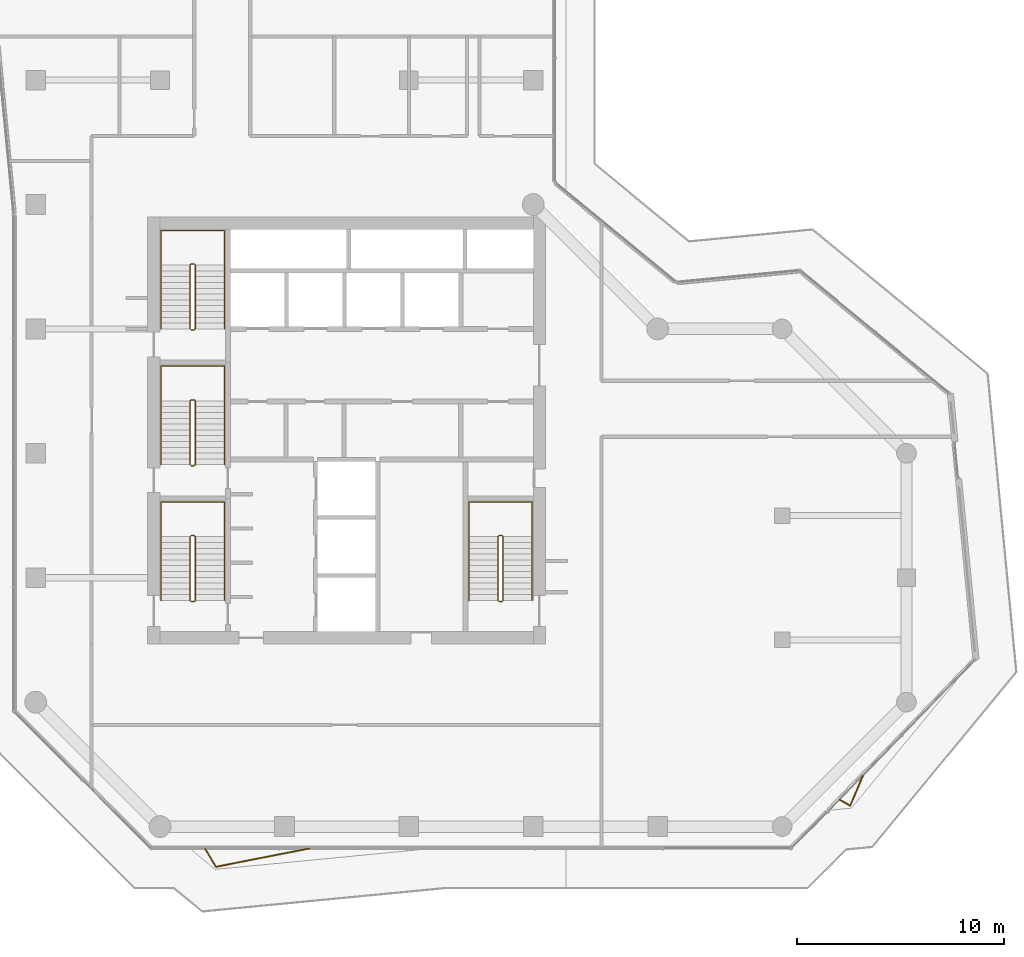
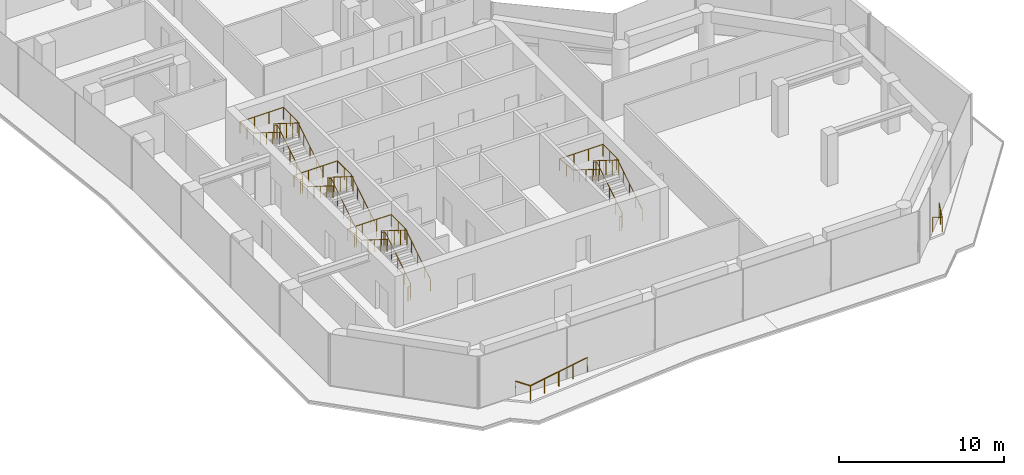
# One storey, part 21 of 22: 10 railings.
"""IFC4 building model written with IfcOpenShell, lengths in metres."""

from ifc_helpers import new_model, si_unit, direction, frame, origin, origin_2d, place, context, subcontext, project, spatial, circle, extrude, material, type_object, element, save


model = new_model("IFC4")

# Units and contexts
model_context = context("Model", 3, precision=1e-05, world=origin(), true_north=direction((0.0, 1.0)))
body_context = subcontext(model_context, "Body", "Model", "MODEL_VIEW")
ifc_project = project(units=[si_unit("LENGTHUNIT", "METRE"), si_unit("AREAUNIT", "SQUARE_METRE"), si_unit("VOLUMEUNIT", "CUBIC_METRE"), si_unit("PLANEANGLEUNIT", "RADIAN"), si_unit("MASSUNIT", "GRAM", prefix="KILO")], contexts=[model_context])

# Site, building, storey
site_placement = place(None, origin())
site = spatial("IfcSite", under=ifc_project, at=site_placement, CompositionType="ELEMENT")
building_placement = place(site_placement, origin())
building = spatial("IfcBuilding", under=site, at=building_placement, Name="Welwitschia Terrace Campus", CompositionType="ELEMENT")
storey_placement = place(building_placement, frame((0.0, 0.0, 192.800048828125)))
storey = spatial("IfcBuildingStorey", under=building, at=storey_placement, Name="L43", CompositionType="ELEMENT", Elevation=192.800048828125)

# Railings
ifc_material_1 = material(Name="Stainless steel grade 316", Category="steel")
railing_type_1 = type_object("IfcRailingType", Name="Guard 1100", PredefinedType="GUARDRAIL", material=ifc_material_1)
railing_1_placement = place(storey_placement, frame((13.197021484375, -5.05810546875, 0.0)))
element("IfcRailing", 1, at=railing_1_placement, inside=storey, type_object=railing_type_1, Name="Guard floor edge L43.1", PredefinedType="GUARDRAIL", context=body_context, shape_type="SweptSolid", body=[
    extrude(circle(Radius=0.02392578125, at=origin_2d()), frame((0.0, 0.0, 1.076171875), z_axis=(-0.98128062701, -0.192583309386, 0.0), x_axis=(0.192583309386, -0.98128062701, 0.0)), (0.0, 0.0, 1.0), 4.586669921875),
    extrude(circle(Radius=0.02392578125, at=origin_2d()), frame((-4.500732421875, -0.88330078125, 1.076171875), z_axis=(-0.511559012432, 0.85924814623, 0.0), x_axis=(-0.85924814623, -0.511559012432, 0.0)), (0.0, 0.0, 1.0), 1.028076171875),
    extrude(circle(Radius=0.02099609375, at=origin_2d()), origin(), (0.0, 0.0, 1.0), 1.052001953125),
    extrude(circle(Radius=0.02099609375, at=origin_2d()), frame((-1.125244140625, -0.220703125, 0.0)), (0.0, 0.0, 1.0), 1.052001953125),
    extrude(circle(Radius=0.02099609375, at=origin_2d()), frame((-2.25048828125, -0.441650390625, 0.0)), (0.0, 0.0, 1.0), 1.052001953125),
    extrude(circle(Radius=0.02099609375, at=origin_2d()), frame((-3.37548828125, -0.66259765625, 0.0)), (0.0, 0.0, 1.0), 1.052001953125),
    extrude(circle(Radius=0.02099609375, at=origin_2d()), frame((-4.500732421875, -0.88330078125, 0.0)), (0.0, 0.0, 1.0), 1.052001953125),
    extrude(circle(Radius=0.02099609375, at=origin_2d()), frame((-5.026611328125, 0.0, 0.0)), (0.0, 0.0, 1.0), 1.052001953125),
])
railing_2_placement = place(storey_placement, frame((39.901611328125, -1.54150390625, 0.0)))
element("IfcRailing", 2, at=railing_2_placement, inside=storey, type_object=railing_type_1, Name="Guard floor edge L43.3", PredefinedType="GUARDRAIL", context=body_context, shape_type="SweptSolid", body=[
    extrude(circle(Radius=0.02392578125, at=origin_2d()), frame((0.0, 0.0, 1.076171875), z_axis=(-0.390990161781, -0.920394857325, 0.0), x_axis=(0.920394857325, -0.390990161781, 0.0)), (0.0, 0.0, 1.0), 1.580322265625),
    extrude(circle(Radius=0.02392578125, at=origin_2d()), frame((-0.617919921875, -1.45458984375, 1.076171875), z_axis=(-0.863249291545, 0.50477783296, 0.0), x_axis=(-0.50477783296, -0.863249291545, 0.0)), (0.0, 0.0, 1.0), 0.585693359375),
    extrude(circle(Radius=0.02099609375, at=origin_2d()), origin(), (0.0, 0.0, 1.0), 1.052001953125),
    extrude(circle(Radius=0.02099609375, at=origin_2d()), frame((-0.30908203125, -0.727294921875, 0.0)), (0.0, 0.0, 1.0), 1.052001953125),
    extrude(circle(Radius=0.02099609375, at=origin_2d()), frame((-0.617919921875, -1.45458984375, 0.0)), (0.0, 0.0, 1.0), 1.052001953125),
    extrude(circle(Radius=0.02099609375, at=origin_2d()), frame((-1.12353515625, -1.158935546875, 0.0)), (0.0, 0.0, 1.0), 1.052001953125),
])
ifc_material_2 = material(Name="Steel S355", Category="steel")
railing_type_2 = type_object("IfcRailingType", Name="Stair guard 1100", PredefinedType="GUARDRAIL", material=ifc_material_2)
railing_3_placement = place(storey_placement, frame((7.5, 6.85009765625, 0.0)))
element("IfcRailing", 3, at=railing_3_placement, inside=storey, type_object=railing_type_2, Name="L43 S1 stair guard", PredefinedType="GUARDRAIL", context=body_context, shape_type="SweptSolid", body=[
    extrude(circle(Radius=0.02392578125, at=origin_2d()), frame((0.0, 0.0, 1.076171875), z_axis=(1.0, 0.0, 0.0), x_axis=(0.0, 1.0, 0.0)), (0.0, 0.0, 1.0), 0.14990234375),
    extrude(circle(Radius=0.02392578125, at=origin_2d()), frame((0.14990234375, 0.0, 1.076171875), z_axis=(0.265155923931, 0.263862480399, 0.927399011991), x_axis=(-0.705375805398, 0.708833529934, 0.0)), (0.0, 0.0, 1.0), 0.188720703125),
    extrude(circle(Radius=0.02392578125, at=origin_2d()), frame((0.199951171875, 0.0498046875, 1.2509765625), z_axis=(0.0, 0.848028513186, 0.529950602248), x_axis=(-1.0, 0.0, 0.0)), (0.0, 0.0, 1.0), 3.632080078125),
    extrude(circle(Radius=0.02392578125, at=origin_2d()), frame((0.199951171875, 3.1298828125, 3.17578125), z_axis=(-0.707106781187, 0.707106781187, 0.0), x_axis=(-0.707106781187, -0.707106781187, 0.0)), (0.0, 0.0, 1.0), 0.07080078125),
    extrude(circle(Radius=0.02392578125, at=origin_2d()), frame((0.14990234375, 3.179931640625, 3.17578125), z_axis=(-1.0, 0.0, 0.0), x_axis=(0.0, -1.0, 0.0)), (0.0, 0.0, 1.0), 0.14990234375),
    extrude(circle(Radius=0.02392578125, at=origin_2d()), frame((0.0, 3.179931640625, 3.17578125), z_axis=(-0.265065253269, -0.265065253269, 0.927081885822), x_axis=(0.707106781187, -0.707106781187, 0.0)), (0.0, 0.0, 1.0), 0.188720703125),
    extrude(circle(Radius=0.02392578125, at=origin_2d()), frame((-0.050048828125, 3.1298828125, 3.35107421875), z_axis=(0.0, -0.847998304005, 0.529998940003), x_axis=(1.0, 0.0, 0.0)), (0.0, 0.0, 1.0), 3.632080078125),
    extrude(circle(Radius=0.02099609375, at=origin_2d()), origin(), (0.0, 0.0, 1.0), 1.052001953125),
    extrude(circle(Radius=0.02099609375, at=origin_2d()), frame((0.14990234375, 0.0, 0.0)), (0.0, 0.0, 1.0), 1.052001953125),
    extrude(circle(Radius=0.02099609375, at=origin_2d()), frame((0.199951171875, 0.0498046875, 0.175048828125)), (0.0, 0.0, 1.0), 1.052001953125),
    extrude(circle(Radius=0.02099609375, at=origin_2d()), frame((0.199951171875, 0.81982421875, 0.65625)), (0.0, 0.0, 1.0), 1.052001953125),
    extrude(circle(Radius=0.02099609375, at=origin_2d()), frame((0.199951171875, 1.58984375, 1.137451171875)), (0.0, 0.0, 1.0), 1.052001953125),
    extrude(circle(Radius=0.02099609375, at=origin_2d()), frame((0.199951171875, 2.35986328125, 1.61865234375)), (0.0, 0.0, 1.0), 1.052001953125),
    extrude(circle(Radius=0.02099609375, at=origin_2d()), frame((0.199951171875, 3.1298828125, 2.099853515625)), (0.0, 0.0, 1.0), 1.052001953125),
    extrude(circle(Radius=0.02099609375, at=origin_2d()), frame((0.14990234375, 3.179931640625, 2.099853515625)), (0.0, 0.0, 1.0), 1.052001953125),
    extrude(circle(Radius=0.02099609375, at=origin_2d()), frame((0.0, 3.179931640625, 2.099853515625)), (0.0, 0.0, 1.0), 1.052001953125),
    extrude(circle(Radius=0.02099609375, at=origin_2d()), frame((-0.050048828125, 3.1298828125, 2.27490234375)), (0.0, 0.0, 1.0), 1.052001953125),
    extrude(circle(Radius=0.02099609375, at=origin_2d()), frame((-0.050048828125, 2.35986328125, 2.756103515625)), (0.0, 0.0, 1.0), 1.052001953125),
    extrude(circle(Radius=0.02099609375, at=origin_2d()), frame((-0.050048828125, 1.58984375, 3.2373046875)), (0.0, 0.0, 1.0), 1.052001953125),
    extrude(circle(Radius=0.02099609375, at=origin_2d()), frame((-0.050048828125, 0.81982421875, 3.71875)), (0.0, 0.0, 1.0), 1.052001953125),
    extrude(circle(Radius=0.02099609375, at=origin_2d()), frame((-0.050048828125, 0.0498046875, 4.199951171875)), (0.0, 0.0, 1.0), 1.052001953125),
])
railing_4_placement = place(storey_placement, frame((7.5, 13.39990234375, 0.0)))
element("IfcRailing", 4, at=railing_4_placement, inside=storey, type_object=railing_type_2, Name="L43 S3 stair guard", PredefinedType="GUARDRAIL", context=body_context, shape_type="SweptSolid", body=[
    extrude(circle(Radius=0.02392578125, at=origin_2d()), frame((0.0, 0.0, 1.076171875), z_axis=(1.0, 0.0, 0.0), x_axis=(0.0, 1.0, 0.0)), (0.0, 0.0, 1.0), 0.14990234375),
    extrude(circle(Radius=0.02392578125, at=origin_2d()), frame((0.14990234375, 0.0, 1.076171875), z_axis=(0.265065253269, 0.265065253269, 0.927081885822), x_axis=(-0.707106781187, 0.707106781187, 0.0)), (0.0, 0.0, 1.0), 0.188720703125),
    extrude(circle(Radius=0.02392578125, at=origin_2d()), frame((0.199951171875, 0.050048828125, 1.2509765625), z_axis=(0.0, 0.848028513186, 0.529950602248), x_axis=(-1.0, 0.0, 0.0)), (0.0, 0.0, 1.0), 3.632080078125),
    extrude(circle(Radius=0.02392578125, at=origin_2d()), frame((0.199951171875, 3.130126953125, 3.17578125), z_axis=(-0.707106781187, 0.707106781187, 0.0), x_axis=(-0.707106781187, -0.707106781187, 0.0)), (0.0, 0.0, 1.0), 0.07080078125),
    extrude(circle(Radius=0.02392578125, at=origin_2d()), frame((0.14990234375, 3.18017578125, 3.17578125), z_axis=(-1.0, 0.0, 0.0), x_axis=(0.0, -1.0, 0.0)), (0.0, 0.0, 1.0), 0.14990234375),
    extrude(circle(Radius=0.02392578125, at=origin_2d()), frame((0.0, 3.18017578125, 3.17578125), z_axis=(-0.265065253269, -0.265065253269, 0.927081885822), x_axis=(0.707106781187, -0.707106781187, 0.0)), (0.0, 0.0, 1.0), 0.188720703125),
    extrude(circle(Radius=0.02392578125, at=origin_2d()), frame((-0.050048828125, 3.130126953125, 3.35107421875), z_axis=(0.0, -0.847998304005, 0.529998940003), x_axis=(1.0, 0.0, 0.0)), (0.0, 0.0, 1.0), 3.632080078125),
    extrude(circle(Radius=0.02099609375, at=origin_2d()), origin(), (0.0, 0.0, 1.0), 1.052001953125),
    extrude(circle(Radius=0.02099609375, at=origin_2d()), frame((0.14990234375, 0.0, 0.0)), (0.0, 0.0, 1.0), 1.052001953125),
    extrude(circle(Radius=0.02099609375, at=origin_2d()), frame((0.199951171875, 0.050048828125, 0.175048828125)), (0.0, 0.0, 1.0), 1.052001953125),
    extrude(circle(Radius=0.02099609375, at=origin_2d()), frame((0.199951171875, 0.820068359375, 0.65625)), (0.0, 0.0, 1.0), 1.052001953125),
    extrude(circle(Radius=0.02099609375, at=origin_2d()), frame((0.199951171875, 1.590087890625, 1.137451171875)), (0.0, 0.0, 1.0), 1.052001953125),
    extrude(circle(Radius=0.02099609375, at=origin_2d()), frame((0.199951171875, 2.360107421875, 1.61865234375)), (0.0, 0.0, 1.0), 1.052001953125),
    extrude(circle(Radius=0.02099609375, at=origin_2d()), frame((0.199951171875, 3.130126953125, 2.099853515625)), (0.0, 0.0, 1.0), 1.052001953125),
    extrude(circle(Radius=0.02099609375, at=origin_2d()), frame((0.14990234375, 3.18017578125, 2.099853515625)), (0.0, 0.0, 1.0), 1.052001953125),
    extrude(circle(Radius=0.02099609375, at=origin_2d()), frame((0.0, 3.18017578125, 2.099853515625)), (0.0, 0.0, 1.0), 1.052001953125),
    extrude(circle(Radius=0.02099609375, at=origin_2d()), frame((-0.050048828125, 3.130126953125, 2.27490234375)), (0.0, 0.0, 1.0), 1.052001953125),
    extrude(circle(Radius=0.02099609375, at=origin_2d()), frame((-0.050048828125, 2.360107421875, 2.756103515625)), (0.0, 0.0, 1.0), 1.052001953125),
    extrude(circle(Radius=0.02099609375, at=origin_2d()), frame((-0.050048828125, 1.590087890625, 3.2373046875)), (0.0, 0.0, 1.0), 1.052001953125),
    extrude(circle(Radius=0.02099609375, at=origin_2d()), frame((-0.050048828125, 0.820068359375, 3.71875)), (0.0, 0.0, 1.0), 1.052001953125),
    extrude(circle(Radius=0.02099609375, at=origin_2d()), frame((-0.050048828125, 0.050048828125, 4.199951171875)), (0.0, 0.0, 1.0), 1.052001953125),
])
railing_5_placement = place(storey_placement, frame((7.5, 19.949951171875, 0.0)))
element("IfcRailing", 5, at=railing_5_placement, inside=storey, type_object=railing_type_2, Name="L43 S4 stair guard", PredefinedType="GUARDRAIL", context=body_context, shape_type="SweptSolid", body=[
    extrude(circle(Radius=0.02392578125, at=origin_2d()), frame((0.0, 0.0, 1.076171875), z_axis=(1.0, 0.0, 0.0), x_axis=(0.0, 1.0, 0.0)), (0.0, 0.0, 1.0), 0.14990234375),
    extrude(circle(Radius=0.02392578125, at=origin_2d()), frame((0.14990234375, 0.0, 1.076171875), z_axis=(0.265065253269, 0.265065253269, 0.927081885822), x_axis=(-0.707106781187, 0.707106781187, 0.0)), (0.0, 0.0, 1.0), 0.188720703125),
    extrude(circle(Radius=0.02392578125, at=origin_2d()), frame((0.199951171875, 0.050048828125, 1.2509765625), z_axis=(0.0, 0.848028513186, 0.529950602248), x_axis=(-1.0, 0.0, 0.0)), (0.0, 0.0, 1.0), 3.632080078125),
    extrude(circle(Radius=0.02392578125, at=origin_2d()), frame((0.199951171875, 3.130126953125, 3.17578125), z_axis=(-0.708833529934, 0.705375805398, 0.0), x_axis=(-0.705375805398, -0.708833529934, 0.0)), (0.0, 0.0, 1.0), 0.070556640625),
    extrude(circle(Radius=0.02392578125, at=origin_2d()), frame((0.14990234375, 3.179931640625, 3.17578125), z_axis=(-1.0, 0.0, 0.0), x_axis=(0.0, -1.0, 0.0)), (0.0, 0.0, 1.0), 0.14990234375),
    extrude(circle(Radius=0.02392578125, at=origin_2d()), frame((0.0, 3.179931640625, 3.17578125), z_axis=(-0.265155923931, -0.263862480399, 0.927399011991), x_axis=(0.705375805398, -0.708833529934, 0.0)), (0.0, 0.0, 1.0), 0.188720703125),
    extrude(circle(Radius=0.02392578125, at=origin_2d()), frame((-0.050048828125, 3.130126953125, 3.35107421875), z_axis=(0.0, -0.847998304005, 0.529998940003), x_axis=(1.0, 0.0, 0.0)), (0.0, 0.0, 1.0), 3.632080078125),
    extrude(circle(Radius=0.02099609375, at=origin_2d()), origin(), (0.0, 0.0, 1.0), 1.052001953125),
    extrude(circle(Radius=0.02099609375, at=origin_2d()), frame((0.14990234375, 0.0, 0.0)), (0.0, 0.0, 1.0), 1.052001953125),
    extrude(circle(Radius=0.02099609375, at=origin_2d()), frame((0.199951171875, 0.050048828125, 0.175048828125)), (0.0, 0.0, 1.0), 1.052001953125),
    extrude(circle(Radius=0.02099609375, at=origin_2d()), frame((0.199951171875, 0.820068359375, 0.65625)), (0.0, 0.0, 1.0), 1.052001953125),
    extrude(circle(Radius=0.02099609375, at=origin_2d()), frame((0.199951171875, 1.590087890625, 1.137451171875)), (0.0, 0.0, 1.0), 1.052001953125),
    extrude(circle(Radius=0.02099609375, at=origin_2d()), frame((0.199951171875, 2.360107421875, 1.61865234375)), (0.0, 0.0, 1.0), 1.052001953125),
    extrude(circle(Radius=0.02099609375, at=origin_2d()), frame((0.199951171875, 3.130126953125, 2.099853515625)), (0.0, 0.0, 1.0), 1.052001953125),
    extrude(circle(Radius=0.02099609375, at=origin_2d()), frame((0.14990234375, 3.179931640625, 2.099853515625)), (0.0, 0.0, 1.0), 1.052001953125),
    extrude(circle(Radius=0.02099609375, at=origin_2d()), frame((0.0, 3.179931640625, 2.099853515625)), (0.0, 0.0, 1.0), 1.052001953125),
    extrude(circle(Radius=0.02099609375, at=origin_2d()), frame((-0.050048828125, 3.130126953125, 2.27490234375)), (0.0, 0.0, 1.0), 1.052001953125),
    extrude(circle(Radius=0.02099609375, at=origin_2d()), frame((-0.050048828125, 2.360107421875, 2.756103515625)), (0.0, 0.0, 1.0), 1.052001953125),
    extrude(circle(Radius=0.02099609375, at=origin_2d()), frame((-0.050048828125, 1.590087890625, 3.2373046875)), (0.0, 0.0, 1.0), 1.052001953125),
    extrude(circle(Radius=0.02099609375, at=origin_2d()), frame((-0.050048828125, 0.820068359375, 3.71875)), (0.0, 0.0, 1.0), 1.052001953125),
    extrude(circle(Radius=0.02099609375, at=origin_2d()), frame((-0.050048828125, 0.050048828125, 4.199951171875)), (0.0, 0.0, 1.0), 1.052001953125),
])
railing_6_placement = place(storey_placement, frame((22.35009765625, 6.85009765625, 0.0)))
element("IfcRailing", 6, at=railing_6_placement, inside=storey, type_object=railing_type_2, Name="L43 S2 stair guard", PredefinedType="GUARDRAIL", context=body_context, shape_type="SweptSolid", body=[
    extrude(circle(Radius=0.02392578125, at=origin_2d()), frame((0.0, 0.0, 1.076171875), z_axis=(1.0, 0.0, 0.0), x_axis=(0.0, 1.0, 0.0)), (0.0, 0.0, 1.0), 0.14990234375),
    extrude(circle(Radius=0.02392578125, at=origin_2d()), frame((0.14990234375, 0.0, 1.076171875), z_axis=(0.265155923931, 0.263862480399, 0.927399011991), x_axis=(-0.705375805398, 0.708833529934, 0.0)), (0.0, 0.0, 1.0), 0.188720703125),
    extrude(circle(Radius=0.02392578125, at=origin_2d()), frame((0.199951171875, 0.0498046875, 1.2509765625), z_axis=(0.0, 0.848028513186, 0.529950602248), x_axis=(-1.0, 0.0, 0.0)), (0.0, 0.0, 1.0), 3.632080078125),
    extrude(circle(Radius=0.02392578125, at=origin_2d()), frame((0.199951171875, 3.1298828125, 3.17578125), z_axis=(-0.707106781187, 0.707106781187, 0.0), x_axis=(-0.707106781187, -0.707106781187, 0.0)), (0.0, 0.0, 1.0), 0.07080078125),
    extrude(circle(Radius=0.02392578125, at=origin_2d()), frame((0.14990234375, 3.179931640625, 3.17578125), z_axis=(-1.0, 0.0, 0.0), x_axis=(0.0, -1.0, 0.0)), (0.0, 0.0, 1.0), 0.14990234375),
    extrude(circle(Radius=0.02392578125, at=origin_2d()), frame((0.0, 3.179931640625, 3.17578125), z_axis=(-0.265065253269, -0.265065253269, 0.927081885822), x_axis=(0.707106781187, -0.707106781187, 0.0)), (0.0, 0.0, 1.0), 0.188720703125),
    extrude(circle(Radius=0.02392578125, at=origin_2d()), frame((-0.050048828125, 3.1298828125, 3.35107421875), z_axis=(0.0, -0.847998304005, 0.529998940003), x_axis=(1.0, 0.0, 0.0)), (0.0, 0.0, 1.0), 3.632080078125),
    extrude(circle(Radius=0.02099609375, at=origin_2d()), origin(), (0.0, 0.0, 1.0), 1.052001953125),
    extrude(circle(Radius=0.02099609375, at=origin_2d()), frame((0.14990234375, 0.0, 0.0)), (0.0, 0.0, 1.0), 1.052001953125),
    extrude(circle(Radius=0.02099609375, at=origin_2d()), frame((0.199951171875, 0.0498046875, 0.175048828125)), (0.0, 0.0, 1.0), 1.052001953125),
    extrude(circle(Radius=0.02099609375, at=origin_2d()), frame((0.199951171875, 0.81982421875, 0.65625)), (0.0, 0.0, 1.0), 1.052001953125),
    extrude(circle(Radius=0.02099609375, at=origin_2d()), frame((0.199951171875, 1.58984375, 1.137451171875)), (0.0, 0.0, 1.0), 1.052001953125),
    extrude(circle(Radius=0.02099609375, at=origin_2d()), frame((0.199951171875, 2.35986328125, 1.61865234375)), (0.0, 0.0, 1.0), 1.052001953125),
    extrude(circle(Radius=0.02099609375, at=origin_2d()), frame((0.199951171875, 3.1298828125, 2.099853515625)), (0.0, 0.0, 1.0), 1.052001953125),
    extrude(circle(Radius=0.02099609375, at=origin_2d()), frame((0.14990234375, 3.179931640625, 2.099853515625)), (0.0, 0.0, 1.0), 1.052001953125),
    extrude(circle(Radius=0.02099609375, at=origin_2d()), frame((0.0, 3.179931640625, 2.099853515625)), (0.0, 0.0, 1.0), 1.052001953125),
    extrude(circle(Radius=0.02099609375, at=origin_2d()), frame((-0.050048828125, 3.1298828125, 2.27490234375)), (0.0, 0.0, 1.0), 1.052001953125),
    extrude(circle(Radius=0.02099609375, at=origin_2d()), frame((-0.050048828125, 2.35986328125, 2.756103515625)), (0.0, 0.0, 1.0), 1.052001953125),
    extrude(circle(Radius=0.02099609375, at=origin_2d()), frame((-0.050048828125, 1.58984375, 3.2373046875)), (0.0, 0.0, 1.0), 1.052001953125),
    extrude(circle(Radius=0.02099609375, at=origin_2d()), frame((-0.050048828125, 0.81982421875, 3.71875)), (0.0, 0.0, 1.0), 1.052001953125),
    extrude(circle(Radius=0.02099609375, at=origin_2d()), frame((-0.050048828125, 0.0498046875, 4.199951171875)), (0.0, 0.0, 1.0), 1.052001953125),
])
ifc_material_3 = material(Name="Steel S355", Category="steel")
railing_type_3 = type_object("IfcRailingType", Name="Stair handrail 900", PredefinedType="HANDRAIL", material=ifc_material_3)
railing_7_placement = place(storey_placement, frame((9.10009765625, 6.89990234375, 0.175048828125)))
element("IfcRailing", 7, at=railing_7_placement, inside=storey, type_object=railing_type_3, Name="L43 S1 stair handrail", PredefinedType="HANDRAIL", context=body_context, shape_type="SweptSolid", body=[
    extrude(circle(Radius=0.02392578125, at=origin_2d()), frame((0.0, 0.0, 0.8759765625), z_axis=(0.0, 0.848028513186, 0.529950602248), x_axis=(-1.0, 0.0, 0.0)), (0.0, 0.0, 1.0), 3.632080078125),
    extrude(circle(Radius=0.02392578125, at=origin_2d()), frame((0.0, 3.080078125, 2.80078125), z_axis=(0.0, 1.0, 0.0), x_axis=(-1.0, 0.0, 0.0)), (0.0, 0.0, 1.0), 1.669921875),
    extrude(circle(Radius=0.02392578125, at=origin_2d()), frame((0.0, 4.75, 2.80078125), z_axis=(-1.0, 0.0, 0.0), x_axis=(0.0, -1.0, 0.0)), (0.0, 0.0, 1.0), 3.050048828125),
    extrude(circle(Radius=0.02392578125, at=origin_2d()), frame((-3.050048828125, 4.75, 2.80078125), z_axis=(0.0, -0.99455077262, 0.104253348533), x_axis=(1.0, 0.0, 0.0)), (0.0, 0.0, 1.0), 1.678955078125),
    extrude(circle(Radius=0.02392578125, at=origin_2d()), frame((-3.050048828125, 3.080078125, 2.9755859375), z_axis=(0.0, -0.847998304005, 0.529998940003), x_axis=(1.0, 0.0, 0.0)), (0.0, 0.0, 1.0), 3.632080078125),
    extrude(circle(Radius=0.02099609375, at=origin_2d()), origin(), (0.0, 0.0, 1.0), 0.851806640625),
    extrude(circle(Radius=0.02099609375, at=origin_2d()), frame((0.0, 0.77001953125, 0.481201171875)), (0.0, 0.0, 1.0), 0.851806640625),
    extrude(circle(Radius=0.02099609375, at=origin_2d()), frame((0.0, 1.5400390625, 0.96240234375)), (0.0, 0.0, 1.0), 0.851806640625),
    extrude(circle(Radius=0.02099609375, at=origin_2d()), frame((0.0, 2.31005859375, 1.443603515625)), (0.0, 0.0, 1.0), 0.851806640625),
    extrude(circle(Radius=0.02099609375, at=origin_2d()), frame((0.0, 3.080078125, 1.9248046875)), (0.0, 0.0, 1.0), 0.851806640625),
    extrude(circle(Radius=0.02099609375, at=origin_2d()), frame((0.0, 3.9150390625, 1.9248046875)), (0.0, 0.0, 1.0), 0.851806640625),
    extrude(circle(Radius=0.02099609375, at=origin_2d()), frame((0.0, 4.75, 1.9248046875)), (0.0, 0.0, 1.0), 0.851806640625),
    extrude(circle(Radius=0.02099609375, at=origin_2d()), frame((-1.0166015625, 4.75, 1.9248046875)), (0.0, 0.0, 1.0), 0.851806640625),
    extrude(circle(Radius=0.02099609375, at=origin_2d()), frame((-2.033447265625, 4.75, 1.9248046875)), (0.0, 0.0, 1.0), 0.851806640625),
    extrude(circle(Radius=0.02099609375, at=origin_2d()), frame((-3.050048828125, 4.75, 1.9248046875)), (0.0, 0.0, 1.0), 0.851806640625),
    extrude(circle(Radius=0.02099609375, at=origin_2d()), frame((-3.050048828125, 3.9150390625, 2.01220703125)), (0.0, 0.0, 1.0), 0.851806640625),
    extrude(circle(Radius=0.02099609375, at=origin_2d()), frame((-3.050048828125, 3.080078125, 2.099853515625)), (0.0, 0.0, 1.0), 0.851806640625),
    extrude(circle(Radius=0.02099609375, at=origin_2d()), frame((-3.050048828125, 2.31005859375, 2.5810546875)), (0.0, 0.0, 1.0), 0.851806640625),
    extrude(circle(Radius=0.02099609375, at=origin_2d()), frame((-3.050048828125, 1.5400390625, 3.0625)), (0.0, 0.0, 1.0), 0.851806640625),
    extrude(circle(Radius=0.02099609375, at=origin_2d()), frame((-3.050048828125, 0.77001953125, 3.543701171875)), (0.0, 0.0, 1.0), 0.851806640625),
    extrude(circle(Radius=0.02099609375, at=origin_2d()), frame((-3.050048828125, 0.0, 4.02490234375)), (0.0, 0.0, 1.0), 0.851806640625),
])
railing_8_placement = place(storey_placement, frame((9.10009765625, 13.449951171875, 0.175048828125)))
element("IfcRailing", 8, at=railing_8_placement, inside=storey, type_object=railing_type_3, Name="L43 S3 stair handrail", PredefinedType="HANDRAIL", context=body_context, shape_type="SweptSolid", body=[
    extrude(circle(Radius=0.02392578125, at=origin_2d()), frame((0.0, 0.0, 0.8759765625), z_axis=(0.0, 0.848028513186, 0.529950602248), x_axis=(-1.0, 0.0, 0.0)), (0.0, 0.0, 1.0), 3.632080078125),
    extrude(circle(Radius=0.02392578125, at=origin_2d()), frame((0.0, 3.080078125, 2.80078125), z_axis=(0.0, 1.0, 0.0), x_axis=(-1.0, 0.0, 0.0)), (0.0, 0.0, 1.0), 1.669921875),
    extrude(circle(Radius=0.02392578125, at=origin_2d()), frame((0.0, 4.75, 2.80078125), z_axis=(-1.0, 0.0, 0.0), x_axis=(0.0, -1.0, 0.0)), (0.0, 0.0, 1.0), 3.050048828125),
    extrude(circle(Radius=0.02392578125, at=origin_2d()), frame((-3.050048828125, 4.75, 2.80078125), z_axis=(0.0, -0.99455077262, 0.104253348533), x_axis=(1.0, 0.0, 0.0)), (0.0, 0.0, 1.0), 1.678955078125),
    extrude(circle(Radius=0.02392578125, at=origin_2d()), frame((-3.050048828125, 3.080078125, 2.9755859375), z_axis=(0.0, -0.847998304005, 0.529998940003), x_axis=(1.0, 0.0, 0.0)), (0.0, 0.0, 1.0), 3.632080078125),
    extrude(circle(Radius=0.02099609375, at=origin_2d()), origin(), (0.0, 0.0, 1.0), 0.851806640625),
    extrude(circle(Radius=0.02099609375, at=origin_2d()), frame((0.0, 0.77001953125, 0.481201171875)), (0.0, 0.0, 1.0), 0.851806640625),
    extrude(circle(Radius=0.02099609375, at=origin_2d()), frame((0.0, 1.5400390625, 0.96240234375)), (0.0, 0.0, 1.0), 0.851806640625),
    extrude(circle(Radius=0.02099609375, at=origin_2d()), frame((0.0, 2.31005859375, 1.443603515625)), (0.0, 0.0, 1.0), 0.851806640625),
    extrude(circle(Radius=0.02099609375, at=origin_2d()), frame((0.0, 3.080078125, 1.9248046875)), (0.0, 0.0, 1.0), 0.851806640625),
    extrude(circle(Radius=0.02099609375, at=origin_2d()), frame((0.0, 3.9150390625, 1.9248046875)), (0.0, 0.0, 1.0), 0.851806640625),
    extrude(circle(Radius=0.02099609375, at=origin_2d()), frame((0.0, 4.75, 1.9248046875)), (0.0, 0.0, 1.0), 0.851806640625),
    extrude(circle(Radius=0.02099609375, at=origin_2d()), frame((-1.0166015625, 4.75, 1.9248046875)), (0.0, 0.0, 1.0), 0.851806640625),
    extrude(circle(Radius=0.02099609375, at=origin_2d()), frame((-2.033447265625, 4.75, 1.9248046875)), (0.0, 0.0, 1.0), 0.851806640625),
    extrude(circle(Radius=0.02099609375, at=origin_2d()), frame((-3.050048828125, 4.75, 1.9248046875)), (0.0, 0.0, 1.0), 0.851806640625),
    extrude(circle(Radius=0.02099609375, at=origin_2d()), frame((-3.050048828125, 3.9150390625, 2.01220703125)), (0.0, 0.0, 1.0), 0.851806640625),
    extrude(circle(Radius=0.02099609375, at=origin_2d()), frame((-3.050048828125, 3.080078125, 2.099853515625)), (0.0, 0.0, 1.0), 0.851806640625),
    extrude(circle(Radius=0.02099609375, at=origin_2d()), frame((-3.050048828125, 2.31005859375, 2.5810546875)), (0.0, 0.0, 1.0), 0.851806640625),
    extrude(circle(Radius=0.02099609375, at=origin_2d()), frame((-3.050048828125, 1.5400390625, 3.0625)), (0.0, 0.0, 1.0), 0.851806640625),
    extrude(circle(Radius=0.02099609375, at=origin_2d()), frame((-3.050048828125, 0.77001953125, 3.543701171875)), (0.0, 0.0, 1.0), 0.851806640625),
    extrude(circle(Radius=0.02099609375, at=origin_2d()), frame((-3.050048828125, 0.0, 4.02490234375)), (0.0, 0.0, 1.0), 0.851806640625),
])
railing_9_placement = place(storey_placement, frame((9.10009765625, 20.0, 0.175048828125)))
element("IfcRailing", 9, at=railing_9_placement, inside=storey, type_object=railing_type_3, Name="L43 S4 stair handrail", PredefinedType="HANDRAIL", context=body_context, shape_type="SweptSolid", body=[
    extrude(circle(Radius=0.02392578125, at=origin_2d()), frame((0.0, 0.0, 0.8759765625), z_axis=(0.0, 0.848028513186, 0.529950602248), x_axis=(-1.0, 0.0, 0.0)), (0.0, 0.0, 1.0), 3.632080078125),
    extrude(circle(Radius=0.02392578125, at=origin_2d()), frame((0.0, 3.080078125, 2.80078125), z_axis=(0.0, 1.0, 0.0), x_axis=(-1.0, 0.0, 0.0)), (0.0, 0.0, 1.0), 1.669921875),
    extrude(circle(Radius=0.02392578125, at=origin_2d()), frame((0.0, 4.75, 2.80078125), z_axis=(-1.0, 0.0, 0.0), x_axis=(0.0, -1.0, 0.0)), (0.0, 0.0, 1.0), 3.050048828125),
    extrude(circle(Radius=0.02392578125, at=origin_2d()), frame((-3.050048828125, 4.75, 2.80078125), z_axis=(0.0, -0.99455077262, 0.104253348533), x_axis=(1.0, 0.0, 0.0)), (0.0, 0.0, 1.0), 1.678955078125),
    extrude(circle(Radius=0.02392578125, at=origin_2d()), frame((-3.050048828125, 3.080078125, 2.9755859375), z_axis=(0.0, -0.847998304005, 0.529998940003), x_axis=(1.0, 0.0, 0.0)), (0.0, 0.0, 1.0), 3.632080078125),
    extrude(circle(Radius=0.02099609375, at=origin_2d()), origin(), (0.0, 0.0, 1.0), 0.851806640625),
    extrude(circle(Radius=0.02099609375, at=origin_2d()), frame((0.0, 0.77001953125, 0.481201171875)), (0.0, 0.0, 1.0), 0.851806640625),
    extrude(circle(Radius=0.02099609375, at=origin_2d()), frame((0.0, 1.5400390625, 0.96240234375)), (0.0, 0.0, 1.0), 0.851806640625),
    extrude(circle(Radius=0.02099609375, at=origin_2d()), frame((0.0, 2.31005859375, 1.443603515625)), (0.0, 0.0, 1.0), 0.851806640625),
    extrude(circle(Radius=0.02099609375, at=origin_2d()), frame((0.0, 3.080078125, 1.9248046875)), (0.0, 0.0, 1.0), 0.851806640625),
    extrude(circle(Radius=0.02099609375, at=origin_2d()), frame((0.0, 3.9150390625, 1.9248046875)), (0.0, 0.0, 1.0), 0.851806640625),
    extrude(circle(Radius=0.02099609375, at=origin_2d()), frame((0.0, 4.75, 1.9248046875)), (0.0, 0.0, 1.0), 0.851806640625),
    extrude(circle(Radius=0.02099609375, at=origin_2d()), frame((-1.0166015625, 4.75, 1.9248046875)), (0.0, 0.0, 1.0), 0.851806640625),
    extrude(circle(Radius=0.02099609375, at=origin_2d()), frame((-2.033447265625, 4.75, 1.9248046875)), (0.0, 0.0, 1.0), 0.851806640625),
    extrude(circle(Radius=0.02099609375, at=origin_2d()), frame((-3.050048828125, 4.75, 1.9248046875)), (0.0, 0.0, 1.0), 0.851806640625),
    extrude(circle(Radius=0.02099609375, at=origin_2d()), frame((-3.050048828125, 3.9150390625, 2.01220703125)), (0.0, 0.0, 1.0), 0.851806640625),
    extrude(circle(Radius=0.02099609375, at=origin_2d()), frame((-3.050048828125, 3.080078125, 2.099853515625)), (0.0, 0.0, 1.0), 0.851806640625),
    extrude(circle(Radius=0.02099609375, at=origin_2d()), frame((-3.050048828125, 2.31005859375, 2.5810546875)), (0.0, 0.0, 1.0), 0.851806640625),
    extrude(circle(Radius=0.02099609375, at=origin_2d()), frame((-3.050048828125, 1.5400390625, 3.0625)), (0.0, 0.0, 1.0), 0.851806640625),
    extrude(circle(Radius=0.02099609375, at=origin_2d()), frame((-3.050048828125, 0.77001953125, 3.543701171875)), (0.0, 0.0, 1.0), 0.851806640625),
    extrude(circle(Radius=0.02099609375, at=origin_2d()), frame((-3.050048828125, 0.0, 4.02490234375)), (0.0, 0.0, 1.0), 0.851806640625),
])
railing_10_placement = place(storey_placement, frame((23.949951171875, 6.89990234375, 0.175048828125)))
element("IfcRailing", 10, at=railing_10_placement, inside=storey, type_object=railing_type_3, Name="L43 S2 stair handrail", PredefinedType="HANDRAIL", context=body_context, shape_type="SweptSolid", body=[
    extrude(circle(Radius=0.02392578125, at=origin_2d()), frame((0.0, 0.0, 0.8759765625), z_axis=(0.0, 0.848028513186, 0.529950602248), x_axis=(-1.0, 0.0, 0.0)), (0.0, 0.0, 1.0), 3.632080078125),
    extrude(circle(Radius=0.02392578125, at=origin_2d()), frame((0.0, 3.080078125, 2.80078125), z_axis=(0.0, 1.0, 0.0), x_axis=(-1.0, 0.0, 0.0)), (0.0, 0.0, 1.0), 1.669921875),
    extrude(circle(Radius=0.02392578125, at=origin_2d()), frame((0.0, 4.75, 2.80078125), z_axis=(-1.0, 0.0, 0.0), x_axis=(0.0, -1.0, 0.0)), (0.0, 0.0, 1.0), 3.050048828125),
    extrude(circle(Radius=0.02392578125, at=origin_2d()), frame((-3.050048828125, 4.75, 2.80078125), z_axis=(0.0, -0.99455077262, 0.104253348533), x_axis=(1.0, 0.0, 0.0)), (0.0, 0.0, 1.0), 1.678955078125),
    extrude(circle(Radius=0.02392578125, at=origin_2d()), frame((-3.050048828125, 3.080078125, 2.9755859375), z_axis=(0.0, -0.847998304005, 0.529998940003), x_axis=(1.0, 0.0, 0.0)), (0.0, 0.0, 1.0), 3.632080078125),
    extrude(circle(Radius=0.02099609375, at=origin_2d()), origin(), (0.0, 0.0, 1.0), 0.851806640625),
    extrude(circle(Radius=0.02099609375, at=origin_2d()), frame((0.0, 0.77001953125, 0.481201171875)), (0.0, 0.0, 1.0), 0.851806640625),
    extrude(circle(Radius=0.02099609375, at=origin_2d()), frame((0.0, 1.5400390625, 0.96240234375)), (0.0, 0.0, 1.0), 0.851806640625),
    extrude(circle(Radius=0.02099609375, at=origin_2d()), frame((0.0, 2.31005859375, 1.443603515625)), (0.0, 0.0, 1.0), 0.851806640625),
    extrude(circle(Radius=0.02099609375, at=origin_2d()), frame((0.0, 3.080078125, 1.9248046875)), (0.0, 0.0, 1.0), 0.851806640625),
    extrude(circle(Radius=0.02099609375, at=origin_2d()), frame((0.0, 3.9150390625, 1.9248046875)), (0.0, 0.0, 1.0), 0.851806640625),
    extrude(circle(Radius=0.02099609375, at=origin_2d()), frame((0.0, 4.75, 1.9248046875)), (0.0, 0.0, 1.0), 0.851806640625),
    extrude(circle(Radius=0.02099609375, at=origin_2d()), frame((-1.0166015625, 4.75, 1.9248046875)), (0.0, 0.0, 1.0), 0.851806640625),
    extrude(circle(Radius=0.02099609375, at=origin_2d()), frame((-2.033447265625, 4.75, 1.9248046875)), (0.0, 0.0, 1.0), 0.851806640625),
    extrude(circle(Radius=0.02099609375, at=origin_2d()), frame((-3.050048828125, 4.75, 1.9248046875)), (0.0, 0.0, 1.0), 0.851806640625),
    extrude(circle(Radius=0.02099609375, at=origin_2d()), frame((-3.050048828125, 3.9150390625, 2.01220703125)), (0.0, 0.0, 1.0), 0.851806640625),
    extrude(circle(Radius=0.02099609375, at=origin_2d()), frame((-3.050048828125, 3.080078125, 2.099853515625)), (0.0, 0.0, 1.0), 0.851806640625),
    extrude(circle(Radius=0.02099609375, at=origin_2d()), frame((-3.050048828125, 2.31005859375, 2.5810546875)), (0.0, 0.0, 1.0), 0.851806640625),
    extrude(circle(Radius=0.02099609375, at=origin_2d()), frame((-3.050048828125, 1.5400390625, 3.0625)), (0.0, 0.0, 1.0), 0.851806640625),
    extrude(circle(Radius=0.02099609375, at=origin_2d()), frame((-3.050048828125, 0.77001953125, 3.543701171875)), (0.0, 0.0, 1.0), 0.851806640625),
    extrude(circle(Radius=0.02099609375, at=origin_2d()), frame((-3.050048828125, 0.0, 4.02490234375)), (0.0, 0.0, 1.0), 0.851806640625),
])

save(model, "model.ifc")
